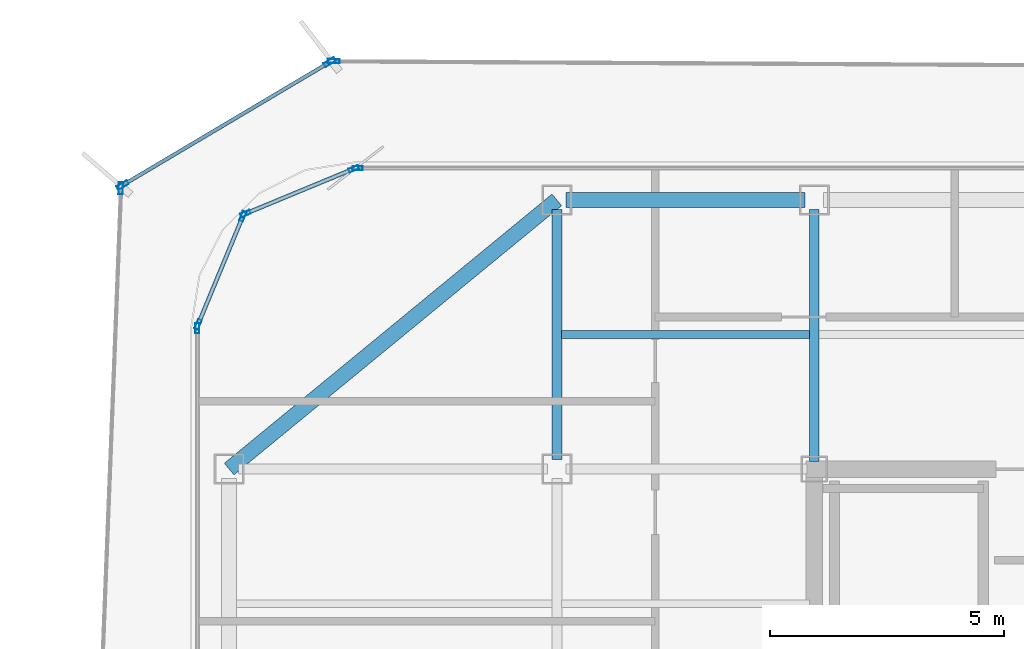
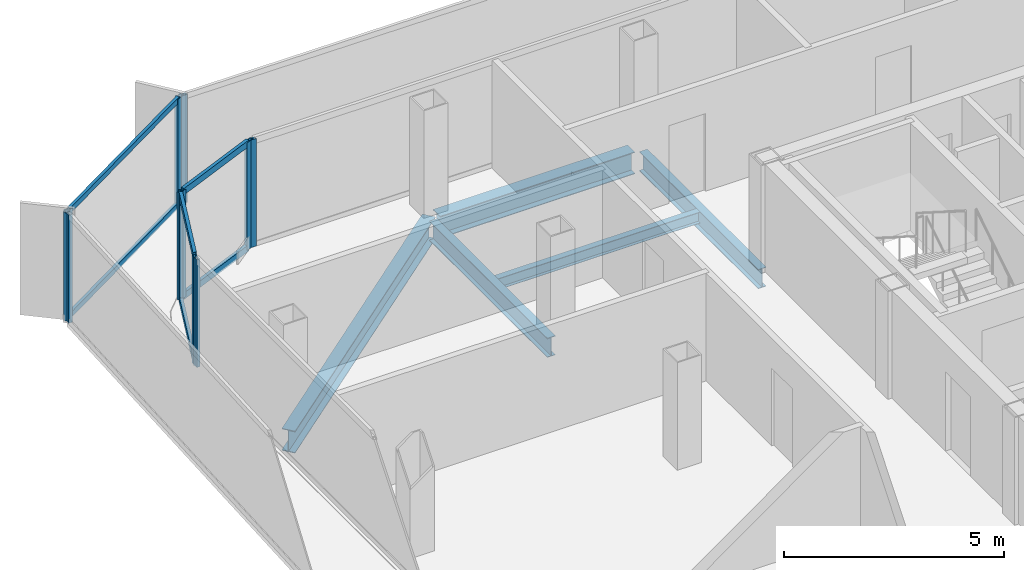
# One storey, part 6 of 15: 16 members, 5 beams, 7 elements without a shape of their own.
"""IFC4 building model written with IfcOpenShell, lengths in metres."""

from ifc_helpers import new_model, si_unit, direction, frame, origin, origin_2d, place, context, subcontext, project, spatial, hollow_rectangle, i_section, extrude, source, transform, mapped, material, layer, layer_set, material_profile, profile_set, type_object, element, aggregate, save


model = new_model("IFC4")

# Units and contexts
model_context = context("Model", 3, precision=1e-05, world=origin(), true_north=direction((0.0, 1.0)))
body_context = subcontext(model_context, "Body", "Model", "MODEL_VIEW")
ifc_project = project(units=[si_unit("LENGTHUNIT", "METRE"), si_unit("AREAUNIT", "SQUARE_METRE"), si_unit("VOLUMEUNIT", "CUBIC_METRE"), si_unit("PLANEANGLEUNIT", "RADIAN"), si_unit("MASSUNIT", "GRAM", prefix="KILO")], contexts=[model_context])

# Site, building, storey
site_placement = place(None, origin())
site = spatial("IfcSite", under=ifc_project, at=site_placement, CompositionType="ELEMENT")
building_placement = place(site_placement, origin())
building = spatial("IfcBuilding", under=site, at=building_placement, Name="Kolveth Station Tower", CompositionType="ELEMENT")
storey_placement = place(building_placement, frame((0.0, 0.0, 252.10009765625)))
storey = spatial("IfcBuildingStorey", under=building, at=storey_placement, Name="L72", CompositionType="ELEMENT", Elevation=252.10009765625)

# Beams
ifc_material_1 = material(Name="Steel S355", Category="steel")
ifc_material_profile_1 = material_profile(ifc_material_1, i_section(OverallWidth=0.323974609375, OverallDepth=0.611083984375, WebThickness=0.0126953125, FlangeThickness=0.01904296875, at=origin_2d()), Name="W610x155")
ifc_profile_set_1 = profile_set([ifc_material_profile_1], Name="Steel S355")
beam_type_1 = type_object("IfcBeamType", Name="Beam_SP2", PredefinedType="SPANDREL", material=ifc_profile_set_1)
shared_shape_1 = source(origin(), body_context, "Body", "SweptSolid", [
    extrude(i_section(OverallWidth=0.323974609375, OverallDepth=0.611083984375, WebThickness=0.0126953125, FlangeThickness=0.01904296875, at=origin_2d()), origin(), (0.0, 0.0, 1.0), 9.058837890625),
])
beam_1_placement = place(storey_placement, frame((13.0, 34.5, -0.525634765625), z_axis=(-0.772726254525, -0.63473942336, 0.0), x_axis=(0.63473942336, -0.772726254525, 0.0)))
element("IfcBeam", 1, at=beam_1_placement, inside=storey, type_object=beam_type_1, Name="L72 Corner Edge Girder BM-L72-CNR-NW", PredefinedType="SPANDREL", context=body_context, shape_type="MappedRepresentation", body=[
    mapped(shared_shape_1, transform((0.0, 0.0, 0.0), x_axis=(1.0, 0.0, 0.0), y_axis=(0.0, 1.0, 0.0), z_axis=(0.0, 0.0, 1.0), scale=1.0)),
])
shared_shape_2 = source(origin(), body_context, "Body", "SweptSolid", [
    extrude(i_section(OverallWidth=0.323974609375, OverallDepth=0.611083984375, WebThickness=0.0126953125, FlangeThickness=0.01904296875, at=origin_2d()), origin(), (0.0, 0.0, 1.0), 5.10009765625),
])
beam_2_placement = place(storey_placement, frame((13.199951171875, 34.5, -0.525634765625), z_axis=(1.0, 0.0, 0.0), x_axis=(0.0, 1.0, 0.0)))
element("IfcBeam", 2, at=beam_2_placement, inside=storey, type_object=beam_type_1, Name="L72 Perimeter Spandrel BM-L72-PN-1", PredefinedType="SPANDREL", context=body_context, shape_type="MappedRepresentation", body=[
    mapped(shared_shape_2, transform((0.0, 0.0, 0.0), x_axis=(1.0, 0.0, 0.0), y_axis=(0.0, 1.0, 0.0), z_axis=(0.0, 0.0, 1.0), scale=1.0)),
])
ifc_material_profile_2 = material_profile(ifc_material_1, i_section(OverallWidth=0.2099609375, OverallDepth=0.537109375, WebThickness=0.010986328125, FlangeThickness=0.017333984375, at=origin_2d()), Name="W530x101")
ifc_profile_set_2 = profile_set([ifc_material_profile_2], Name="Steel S355")
beam_type_2 = type_object("IfcBeamType", Name="Beam_B6", PredefinedType="BEAM", material=ifc_profile_set_2)
shared_shape_3 = source(origin(), body_context, "Body", "SweptSolid", [
    extrude(i_section(OverallWidth=0.2099609375, OverallDepth=0.537109375, WebThickness=0.010986328125, FlangeThickness=0.017333984375, at=origin_2d()), origin(), (0.0, 0.0, 1.0), 5.35009765625),
])
beam_3_placement = place(storey_placement, frame((13.0, 28.949951171875, -0.488525390625), z_axis=(0.0, 1.0, 0.0), x_axis=(-1.0, 0.0, 0.0)))
element("IfcBeam", 3, at=beam_3_placement, inside=storey, type_object=beam_type_2, Name="L72 Primary Girder BM-L72-GX130-6", PredefinedType="BEAM", context=body_context, shape_type="MappedRepresentation", body=[
    mapped(shared_shape_3, transform((0.0, 0.0, 0.0), x_axis=(1.0, 0.0, 0.0), y_axis=(0.0, 1.0, 0.0), z_axis=(0.0, 0.0, 1.0), scale=1.0)),
])
shared_shape_4 = source(origin(), body_context, "Body", "SweptSolid", [
    extrude(i_section(OverallWidth=0.2099609375, OverallDepth=0.537109375, WebThickness=0.010986328125, FlangeThickness=0.017333984375, at=origin_2d()), origin(), (0.0, 0.0, 1.0), 5.39013671875),
])
beam_4_placement = place(storey_placement, frame((18.5, 28.909912109375, -0.488525390625), z_axis=(0.0, 1.0, 0.0), x_axis=(-1.0, 0.0, 0.0)))
element("IfcBeam", 4, at=beam_4_placement, inside=storey, type_object=beam_type_2, Name="L72 Primary Girder BM-L72-GX185-6", PredefinedType="BEAM", context=body_context, shape_type="MappedRepresentation", body=[
    mapped(shared_shape_4, transform((0.0, 0.0, 0.0), x_axis=(1.0, 0.0, 0.0), y_axis=(0.0, 1.0, 0.0), z_axis=(0.0, 0.0, 1.0), scale=1.0)),
])
ifc_material_profile_3 = material_profile(ifc_material_1, i_section(OverallWidth=0.1650390625, OverallDepth=0.31005859375, WebThickness=0.005859375, FlangeThickness=0.009765625, at=origin_2d()), Name="W310x39")
ifc_profile_set_3 = profile_set([ifc_material_profile_3], Name="Steel S355")
beam_type_3 = type_object("IfcBeamType", Name="Beam_J3", PredefinedType="JOIST", material=ifc_profile_set_3)
shared_shape_5 = source(origin(), body_context, "Body", "SweptSolid", [
    extrude(i_section(OverallWidth=0.1650390625, OverallDepth=0.31005859375, WebThickness=0.005859375, FlangeThickness=0.009765625, at=origin_2d()), origin(), (0.0, 0.0, 1.0), 5.2939453125),
])
beam_5_placement = place(storey_placement, frame((13.10302734375, 31.625, -0.375), z_axis=(1.0, 0.0, 0.0), x_axis=(0.0, 1.0, 0.0)))
element("IfcBeam", 5, at=beam_5_placement, inside=storey, type_object=beam_type_3, Name="L72 Secondary Joist JST-L72-2-6", PredefinedType="JOIST", context=body_context, shape_type="MappedRepresentation", body=[
    mapped(shared_shape_5, transform((0.0, 0.0, 0.0), x_axis=(1.0, 0.0, 0.0), y_axis=(0.0, 1.0, 0.0), z_axis=(0.0, 0.0, 1.0), scale=1.0)),
])

# Curtain wall, member
ifc_material_2 = material(Name="Black anodized aluminium 6063-T6 and dark solar glass", Category="aluminium")
ifc_layer_1 = layer(ifc_material_2, 0.159912109375)
ifc_layer_set_1 = layer_set([ifc_layer_1], Name="Black anodized aluminium 6063-T6 and dark solar glass")
curtain_wall_type_1 = type_object("IfcCurtainWallType", Name="OUTER SKIN CW-OS", PredefinedType="NOTDEFINED", material=ifc_layer_set_1)
curtain_wall_1_placement = place(storey_placement, origin())
curtain_wall_1 = element("IfcCurtainWall", 6, at=curtain_wall_1_placement, inside=storey, type_object=curtain_wall_type_1, Name="L72 Outer Ventilated Skin Curtain Wall 4", PredefinedType="NOTDEFINED")
ifc_material_3 = material(Name="Black anodized aluminium 6063-T6", Category="aluminium")
ifc_material_profile_4 = material_profile(ifc_material_3, hollow_rectangle(XDim=0.090087890625, YDim=0.260009765625, WallThickness=0.0048828125, at=origin_2d()), Name="ALU-90x260x5")
ifc_profile_set_4 = profile_set([ifc_material_profile_4], Name="Black anodized aluminium 6063-T6")
member_type_1 = type_object("IfcMemberType", Name="FIN MULLION ML-OS", PredefinedType="MULLION", material=ifc_profile_set_4)
shared_shape_6 = source(origin(), body_context, "Body", "SweptSolid", [
    extrude(hollow_rectangle(XDim=0.090087890625, YDim=0.260009765625, WallThickness=0.0048828125, at=origin_2d()), origin(), (0.0, 0.0, 1.0), 2.989990234375),
])
member_1_placement = place(storey_placement, frame((8.231689453125, 37.464599609375, 0.0), z_axis=(0.0, 0.0, 1.0), x_axis=(-0.005381144399, -0.999985521538, 0.0)))
member_1 = element("IfcMember", 7, at=member_1_placement, type_object=member_type_1, Name="CW-OS mullion 2", PredefinedType="MULLION", context=body_context, shape_type="MappedRepresentation", body=[
    mapped(shared_shape_6, transform((0.0, 0.0, 0.0), x_axis=(1.0, 0.0, 0.0), y_axis=(0.0, 1.0, 0.0), z_axis=(0.0, 0.0, 1.0), scale=1.0)),
])
aggregate(curtain_wall_1, [member_1])

# Curtain wall, members
curtain_wall_2_placement = place(storey_placement, origin())
curtain_wall_2 = element("IfcCurtainWall", 8, at=curtain_wall_2_placement, inside=storey, type_object=curtain_wall_type_1, Name="L72 Outer Ventilated Skin Curtain Wall 5", PredefinedType="NOTDEFINED")
member_2_placement = place(storey_placement, frame((8.14794921875, 37.44189453125, 0.0), z_axis=(0.0, 0.0, 1.0), x_axis=(0.510672069165, -0.859775574074, 0.0)))
member_2 = element("IfcMember", 9, at=member_2_placement, type_object=member_type_1, Name="CW-OS mullion 1", PredefinedType="MULLION", context=body_context, shape_type="MappedRepresentation", body=[
    mapped(shared_shape_6, transform((0.0, 0.0, 0.0), x_axis=(1.0, 0.0, 0.0), y_axis=(0.0, 1.0, 0.0), z_axis=(0.0, 0.0, 1.0), scale=1.0)),
])
member_3_placement = place(storey_placement, frame((3.7255859375, 34.815185546875, 0.0), z_axis=(0.0, 0.0, 1.0), x_axis=(0.510672069165, -0.859775574074, 0.0)))
member_3 = element("IfcMember", 10, at=member_3_placement, type_object=member_type_1, Name="CW-OS mullion 2", PredefinedType="MULLION", context=body_context, shape_type="MappedRepresentation", body=[
    mapped(shared_shape_6, transform((0.0, 0.0, 0.0), x_axis=(1.0, 0.0, 0.0), y_axis=(0.0, 1.0, 0.0), z_axis=(0.0, 0.0, 1.0), scale=1.0)),
])

# Curtain wall, member
curtain_wall_3_placement = place(storey_placement, origin())
curtain_wall_3 = element("IfcCurtainWall", 11, at=curtain_wall_3_placement, inside=storey, type_object=curtain_wall_type_1, Name="L72 Outer Ventilated Skin Curtain Wall 6", PredefinedType="NOTDEFINED")
member_4_placement = place(storey_placement, frame((3.68505859375, 34.747314453125, 0.0), z_axis=(0.0, 0.0, 1.0), x_axis=(0.999233555729, -0.039144617843, 0.0)))
member_4 = element("IfcMember", 12, at=member_4_placement, type_object=member_type_1, Name="CW-OS mullion 1", PredefinedType="MULLION", context=body_context, shape_type="MappedRepresentation", body=[
    mapped(shared_shape_6, transform((0.0, 0.0, 0.0), x_axis=(1.0, 0.0, 0.0), y_axis=(0.0, 1.0, 0.0), z_axis=(0.0, 0.0, 1.0), scale=1.0)),
])
aggregate(curtain_wall_3, [member_4])

ifc_material_4 = material(Name="Aluminium 6063-T6 and triple low-E dark glass", Category="aluminium")
ifc_layer_2 = layer(ifc_material_4, 0.199951171875)
ifc_layer_set_2 = layer_set([ifc_layer_2], Name="Aluminium 6063-T6 and triple low-E dark glass")
curtain_wall_type_2 = type_object("IfcCurtainWallType", Name="CurtainWall_CW-Z3", PredefinedType="NOTDEFINED", material=ifc_layer_set_2)
curtain_wall_4_placement = place(storey_placement, origin())
curtain_wall_4 = element("IfcCurtainWall", 13, at=curtain_wall_4_placement, inside=storey, type_object=curtain_wall_type_2, Name="L72 Inner Thermal Curtain Wall 6", PredefinedType="NOTDEFINED")
ifc_material_profile_5 = material_profile(ifc_material_3, hollow_rectangle(XDim=0.0849609375, YDim=0.215087890625, WallThickness=0.0048828125, at=origin_2d()), Name="ALU-85x215x5")
ifc_profile_set_5 = profile_set([ifc_material_profile_5], Name="Black anodized aluminium 6063-T6")
member_type_2 = type_object("IfcMemberType", Name="Mullion_ML3", PredefinedType="MULLION", material=ifc_profile_set_5)
shared_shape_7 = source(origin(), body_context, "Body", "SweptSolid", [
    extrude(hollow_rectangle(XDim=0.0849609375, YDim=0.215087890625, WallThickness=0.0048828125, at=origin_2d()), origin(), (0.0, 0.0, 1.0), 2.97998046875),
])
member_5_placement = place(storey_placement, frame((8.742431640625, 35.179931640625, 0.0), z_axis=(0.0, 0.0, 1.0), x_axis=(0.0, -1.0, 0.0)))
member_5 = element("IfcMember", 14, at=member_5_placement, type_object=member_type_2, Name="CW-Z3 mullion 2", PredefinedType="MULLION", context=body_context, shape_type="MappedRepresentation", body=[
    mapped(shared_shape_7, transform((0.0, 0.0, 0.0), x_axis=(1.0, 0.0, 0.0), y_axis=(0.0, 1.0, 0.0), z_axis=(0.0, 0.0, 1.0), scale=1.0)),
])
aggregate(curtain_wall_4, [member_5])

# Curtain wall, members
curtain_wall_5_placement = place(storey_placement, origin())
curtain_wall_5 = element("IfcCurtainWall", 15, at=curtain_wall_5_placement, inside=storey, type_object=curtain_wall_type_2, Name="L72 Inner Thermal Curtain Wall 7", PredefinedType="NOTDEFINED")
member_6_placement = place(storey_placement, frame((8.66064453125, 35.163818359375, 0.0), z_axis=(0.0, 0.0, 1.0), x_axis=(0.382693194181, -0.923875488975, 0.0)))
member_6 = element("IfcMember", 16, at=member_6_placement, type_object=member_type_2, Name="CW-Z3 mullion 1", PredefinedType="MULLION", context=body_context, shape_type="MappedRepresentation", body=[
    mapped(shared_shape_7, transform((0.0, 0.0, 0.0), x_axis=(1.0, 0.0, 0.0), y_axis=(0.0, 1.0, 0.0), z_axis=(0.0, 0.0, 1.0), scale=1.0)),
])
member_7_placement = place(storey_placement, frame((6.349365234375, 34.206298828125, 0.0), z_axis=(0.0, 0.0, 1.0), x_axis=(0.382693194181, -0.923875488975, 0.0)))
member_7 = element("IfcMember", 17, at=member_7_placement, type_object=member_type_2, Name="CW-Z3 mullion 2", PredefinedType="MULLION", context=body_context, shape_type="MappedRepresentation", body=[
    mapped(shared_shape_7, transform((0.0, 0.0, 0.0), x_axis=(1.0, 0.0, 0.0), y_axis=(0.0, 1.0, 0.0), z_axis=(0.0, 0.0, 1.0), scale=1.0)),
])

curtain_wall_6_placement = place(storey_placement, origin())
curtain_wall_6 = element("IfcCurtainWall", 18, at=curtain_wall_6_placement, inside=storey, type_object=curtain_wall_type_2, Name="L72 Inner Thermal Curtain Wall 8", PredefinedType="NOTDEFINED")
member_8_placement = place(storey_placement, frame((6.293701171875, 34.150634765625, 0.0), z_axis=(0.0, 0.0, 1.0), x_axis=(0.923875488975, -0.382693194181, 0.0)))
member_8 = element("IfcMember", 19, at=member_8_placement, type_object=member_type_2, Name="CW-Z3 mullion 1", PredefinedType="MULLION", context=body_context, shape_type="MappedRepresentation", body=[
    mapped(shared_shape_7, transform((0.0, 0.0, 0.0), x_axis=(1.0, 0.0, 0.0), y_axis=(0.0, 1.0, 0.0), z_axis=(0.0, 0.0, 1.0), scale=1.0)),
])
member_9_placement = place(storey_placement, frame((5.336181640625, 31.83935546875, 0.0), z_axis=(0.0, 0.0, 1.0), x_axis=(0.923875488975, -0.382693194181, 0.0)))
member_9 = element("IfcMember", 20, at=member_9_placement, type_object=member_type_2, Name="CW-Z3 mullion 2", PredefinedType="MULLION", context=body_context, shape_type="MappedRepresentation", body=[
    mapped(shared_shape_7, transform((0.0, 0.0, 0.0), x_axis=(1.0, 0.0, 0.0), y_axis=(0.0, 1.0, 0.0), z_axis=(0.0, 0.0, 1.0), scale=1.0)),
])

# Curtain wall, member
curtain_wall_7_placement = place(storey_placement, origin())
curtain_wall_7 = element("IfcCurtainWall", 21, at=curtain_wall_7_placement, inside=storey, type_object=curtain_wall_type_2, Name="L72 Inner Thermal Curtain Wall 9", PredefinedType="NOTDEFINED")
member_10_placement = place(storey_placement, frame((5.320068359375, 31.757568359375, 0.0), z_axis=(0.0, 0.0, 1.0), x_axis=(1.0, 0.0, 0.0)))
member_10 = element("IfcMember", 22, at=member_10_placement, type_object=member_type_2, Name="CW-Z3 mullion 1", PredefinedType="MULLION", context=body_context, shape_type="MappedRepresentation", body=[
    mapped(shared_shape_7, transform((0.0, 0.0, 0.0), x_axis=(1.0, 0.0, 0.0), y_axis=(0.0, 1.0, 0.0), z_axis=(0.0, 0.0, 1.0), scale=1.0)),
])
aggregate(curtain_wall_7, [member_10])

# Member
ifc_material_profile_6 = material_profile(ifc_material_3, hollow_rectangle(XDim=0.0849609375, YDim=0.179931640625, WallThickness=0.0048828125, at=origin_2d()), Name="ALU-85x180x5")
ifc_profile_set_6 = profile_set([ifc_material_profile_6], Name="Black anodized aluminium 6063-T6")
member_type_3 = type_object("IfcMemberType", Name="Transom_TR3", PredefinedType="USERDEFINED", material=ifc_profile_set_6)
shared_shape_8 = source(origin(), body_context, "Body", "SweptSolid", [
    extrude(hollow_rectangle(XDim=0.0849609375, YDim=0.179931640625, WallThickness=0.0048828125, at=origin_2d()), origin(), (0.0, 0.0, 1.0), 2.417236328125),
])
member_11_placement = place(storey_placement, frame((8.62158203125, 35.1474609375, 0.04248046875), z_axis=(-0.923872799448, -0.382699687013, 0.0), x_axis=(0.382699687013, -0.923872799448, 0.0)))
member_11 = element("IfcMember", 23, at=member_11_placement, type_object=member_type_3, Name="CW-Z3 transom 1.1", ObjectType="TRANSOM", PredefinedType="USERDEFINED", context=body_context, shape_type="MappedRepresentation", body=[
    mapped(shared_shape_8, transform((0.0, 0.0, 0.0), x_axis=(1.0, 0.0, 0.0), y_axis=(0.0, 1.0, 0.0), z_axis=(0.0, 0.0, 1.0), scale=1.0)),
])

member_12_placement = place(storey_placement, frame((8.62158203125, 35.1474609375, 2.9375), z_axis=(-0.923872799448, -0.382699687013, 0.0), x_axis=(0.382699687013, -0.923872799448, 0.0)))
member_12 = element("IfcMember", 24, at=member_12_placement, type_object=member_type_3, Name="CW-Z3 transom 1.2", ObjectType="TRANSOM", PredefinedType="USERDEFINED", context=body_context, shape_type="MappedRepresentation", body=[
    mapped(shared_shape_8, transform((0.0, 0.0, 0.0), x_axis=(1.0, 0.0, 0.0), y_axis=(0.0, 1.0, 0.0), z_axis=(0.0, 0.0, 1.0), scale=1.0)),
])

aggregate(curtain_wall_5, [member_6, member_7, member_11, member_12])

member_13_placement = place(storey_placement, frame((6.277587890625, 34.111572265625, 0.04248046875), z_axis=(-0.382699687013, -0.923872799448, 0.0), x_axis=(0.923872799448, -0.382699687013, 0.0)))
member_13 = element("IfcMember", 25, at=member_13_placement, type_object=member_type_3, Name="CW-Z3 transom 1.1", ObjectType="TRANSOM", PredefinedType="USERDEFINED", context=body_context, shape_type="MappedRepresentation", body=[
    mapped(shared_shape_8, transform((0.0, 0.0, 0.0), x_axis=(1.0, 0.0, 0.0), y_axis=(0.0, 1.0, 0.0), z_axis=(0.0, 0.0, 1.0), scale=1.0)),
])

member_14_placement = place(storey_placement, frame((6.277587890625, 34.111572265625, 2.9375), z_axis=(-0.382699687013, -0.923872799448, 0.0), x_axis=(0.923872799448, -0.382699687013, 0.0)))
member_14 = element("IfcMember", 26, at=member_14_placement, type_object=member_type_3, Name="CW-Z3 transom 1.2", ObjectType="TRANSOM", PredefinedType="USERDEFINED", context=body_context, shape_type="MappedRepresentation", body=[
    mapped(shared_shape_8, transform((0.0, 0.0, 0.0), x_axis=(1.0, 0.0, 0.0), y_axis=(0.0, 1.0, 0.0), z_axis=(0.0, 0.0, 1.0), scale=1.0)),
])

aggregate(curtain_wall_6, [member_8, member_9, member_13, member_14])

ifc_material_profile_7 = material_profile(ifc_material_3, hollow_rectangle(XDim=0.080078125, YDim=0.14990234375, WallThickness=0.0048828125, at=origin_2d()), Name="ALU-80x150x5")
ifc_profile_set_7 = profile_set([ifc_material_profile_7], Name="Black anodized aluminium 6063-T6")
member_type_4 = type_object("IfcMemberType", Name="Transom_TR-OS", PredefinedType="USERDEFINED", material=ifc_profile_set_7)
shared_shape_9 = source(origin(), body_context, "Body", "SweptSolid", [
    extrude(hollow_rectangle(XDim=0.080078125, YDim=0.14990234375, WallThickness=0.0048828125, at=origin_2d()), origin(), (0.0, 0.0, 1.0), 5.053955078125),
])
member_15_placement = place(storey_placement, frame((8.109375, 37.4189453125, 0.039794921875), z_axis=(-0.859781837417, -0.510661523954, 0.0), x_axis=(0.510661523954, -0.859781837417, 0.0)))
member_15 = element("IfcMember", 27, at=member_15_placement, type_object=member_type_4, Name="CW-OS transom 1.1", ObjectType="TRANSOM", PredefinedType="USERDEFINED", context=body_context, shape_type="MappedRepresentation", body=[
    mapped(shared_shape_9, transform((0.0, 0.0, 0.0), x_axis=(1.0, 0.0, 0.0), y_axis=(0.0, 1.0, 0.0), z_axis=(0.0, 0.0, 1.0), scale=1.0)),
])

member_16_placement = place(storey_placement, frame((8.109375, 37.4189453125, 2.949951171875), z_axis=(-0.859781837417, -0.510661523954, 0.0), x_axis=(0.510661523954, -0.859781837417, 0.0)))
member_16 = element("IfcMember", 28, at=member_16_placement, type_object=member_type_4, Name="CW-OS transom 1.2", ObjectType="TRANSOM", PredefinedType="USERDEFINED", context=body_context, shape_type="MappedRepresentation", body=[
    mapped(shared_shape_9, transform((0.0, 0.0, 0.0), x_axis=(1.0, 0.0, 0.0), y_axis=(0.0, 1.0, 0.0), z_axis=(0.0, 0.0, 1.0), scale=1.0)),
])

aggregate(curtain_wall_2, [member_2, member_3, member_15, member_16])

save(model, "model.ifc")
